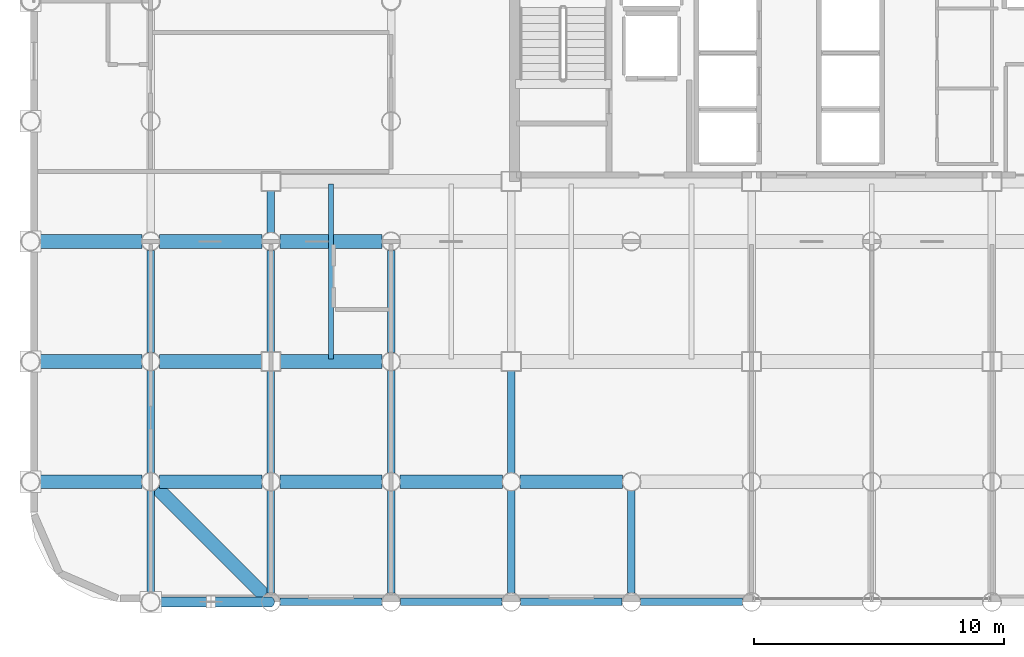
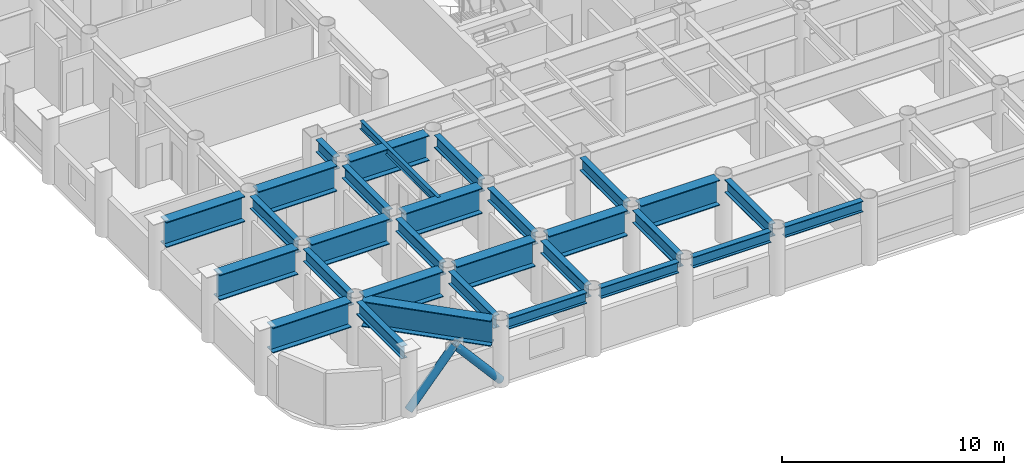
# One storey, part 3 of 26: 30 beams, 2 members.
"""IFC4 building model written with IfcOpenShell, lengths in metres."""

from ifc_helpers import new_model, si_unit, direction, frame, origin, origin_2d, place, context, subcontext, project, spatial, hollow_circle, i_section, extrude, material, material_profile, profile_set, type_object, element, save


model = new_model("IFC4")

# Units and contexts
model_context = context("Model", 3, precision=1e-05, world=origin(), true_north=direction((0.0, 1.0)))
body_context = subcontext(model_context, "Body", "Model", "MODEL_VIEW")
ifc_project = project(units=[si_unit("LENGTHUNIT", "METRE"), si_unit("AREAUNIT", "SQUARE_METRE"), si_unit("VOLUMEUNIT", "CUBIC_METRE"), si_unit("PLANEANGLEUNIT", "RADIAN"), si_unit("MASSUNIT", "GRAM", prefix="KILO")], contexts=[model_context])

# Site, building, storey
site_placement = place(None, origin())
site = spatial("IfcSite", under=ifc_project, at=site_placement, CompositionType="ELEMENT")
building_placement = place(site_placement, origin())
building = spatial("IfcBuilding", under=site, at=building_placement, Name="Kallvorn Hotel Tower", CompositionType="ELEMENT")
storey_placement = place(building_placement, frame((0.0, 0.0, 55.89990234375)))
storey = spatial("IfcBuildingStorey", under=building, at=storey_placement, Name="L12", CompositionType="ELEMENT", Elevation=55.89990234375)

# Beams
ifc_material_1 = material(Name="Structural steel S355JR", Category="steel")
ifc_material_profile_1 = material_profile(ifc_material_1, i_section(OverallWidth=0.300048828125, OverallDepth=0.60009765625, WebThickness=0.015380859375, FlangeThickness=0.030029296875, at=origin_2d()), Name="HE 600 B")
ifc_profile_set_1 = profile_set([ifc_material_profile_1], Name="Structural steel S355JR")
beam_type_1 = type_object("IfcBeamType", Name="BM_HE600B", PredefinedType="SPANDREL", material=ifc_profile_set_1)
beam_1_placement = place(storey_placement, frame((-23.62890625, -24.0, 3.22021484375), z_axis=(1.0, 0.0, 0.0), x_axis=(0.0, 1.0, 0.0)))
element("IfcBeam", 1, at=beam_1_placement, inside=storey, type_object=beam_type_1, Name="L13 Perimeter Spandrel 160", PredefinedType="SPANDREL", context=body_context, shape_type="SweptSolid", body=[
    extrude(i_section(OverallWidth=0.300048828125, OverallDepth=0.60009765625, WebThickness=0.015380859375, FlangeThickness=0.030029296875, at=origin_2d()), origin(), (0.0, 0.0, 1.0), 4.057861328125),
])
for number, where, z_axis, x_axis, name in (
    (2, (-18.8291015625, -24.0, 3.22021484375), (1.0, 0.0, 0.0), (0.0, 1.0, 0.0), "L13 Perimeter Spandrel 161"),
    (3, (-14.029052734375, -24.0, 3.22021484375), (1.0, 0.0, 0.0), (0.0, 1.0, 0.0), "L13 Perimeter Spandrel 162"),
    (4, (-9.22900390625, -24.0, 3.22021484375), (1.0, 0.0, 0.0), (0.0, 1.0, 0.0), "L13 Perimeter Spandrel 163"),
):
    element("IfcBeam", number, at=place(storey_placement, frame(where, z_axis=z_axis, x_axis=x_axis)), inside=storey, type_object=beam_type_1, Name=name, PredefinedType="SPANDREL", context=body_context, shape_type="SweptSolid", body=[
        extrude(i_section(OverallWidth=0.300048828125, OverallDepth=0.60009765625, WebThickness=0.015380859375, FlangeThickness=0.030029296875, at=origin_2d()), origin(), (0.0, 0.0, 1.0), 4.05810546875),
    ])
ifc_material_2 = material(Name="Structural steel S355JR", Category="steel")
ifc_material_profile_2 = material_profile(ifc_material_2, i_section(OverallWidth=0.300048828125, OverallDepth=0.699951171875, WebThickness=0.01708984375, FlangeThickness=0.031982421875, at=origin_2d()), Name="HE 700 B")
ifc_profile_set_2 = profile_set([ifc_material_profile_2], Name="Structural steel S355JR")
beam_type_2 = type_object("IfcBeamType", Name="BM_HE700B", PredefinedType="BEAM", material=ifc_profile_set_2)
beam_2_placement = place(storey_placement, frame((-28.800048828125, -23.64404296875, 3.170166015625), z_axis=(0.0, 1.0, 0.0), x_axis=(-1.0, 0.0, 0.0)))
element("IfcBeam", 5, at=beam_2_placement, inside=storey, type_object=beam_type_2, Name="L13 Primary Y-Girder 82", PredefinedType="BEAM", context=body_context, shape_type="SweptSolid", body=[
    extrude(i_section(OverallWidth=0.300048828125, OverallDepth=0.699951171875, WebThickness=0.01708984375, FlangeThickness=0.031982421875, at=origin_2d()), origin(), (0.0, 0.0, 1.0), 4.088134765625),
])
for number, where, z_axis, x_axis, name in (
    (6, (-28.800048828125, -18.843994140625, 3.170166015625), (0.0, 1.0, 0.0), (-1.0, 0.0, 0.0), "L13 Primary Y-Girder 83"),
    (7, (-28.800048828125, -14.0439453125, 3.170166015625), (0.0, 1.0, 0.0), (-1.0, 0.0, 0.0), "L13 Primary Y-Girder 84"),
):
    element("IfcBeam", number, at=place(storey_placement, frame(where, z_axis=z_axis, x_axis=x_axis)), inside=storey, type_object=beam_type_2, Name=name, PredefinedType="BEAM", context=body_context, shape_type="SweptSolid", body=[
        extrude(i_section(OverallWidth=0.300048828125, OverallDepth=0.699951171875, WebThickness=0.01708984375, FlangeThickness=0.031982421875, at=origin_2d()), origin(), (0.0, 0.0, 1.0), 4.087890625),
    ])
beam_3_placement = place(storey_placement, frame((-24.0, -23.64404296875, 3.170166015625), z_axis=(0.0, 1.0, 0.0), x_axis=(-1.0, 0.0, 0.0)))
element("IfcBeam", 8, at=beam_3_placement, inside=storey, type_object=beam_type_2, Name="L13 Primary Y-Girder 91", PredefinedType="BEAM", context=body_context, shape_type="SweptSolid", body=[
    extrude(i_section(OverallWidth=0.300048828125, OverallDepth=0.699951171875, WebThickness=0.01708984375, FlangeThickness=0.031982421875, at=origin_2d()), origin(), (0.0, 0.0, 1.0), 4.088134765625),
])
beam_4_placement = place(storey_placement, frame((-24.0, -18.843994140625, 3.170166015625), z_axis=(0.0, 1.0, 0.0), x_axis=(-1.0, 0.0, 0.0)))
element("IfcBeam", 9, at=beam_4_placement, inside=storey, type_object=beam_type_2, Name="L13 Primary Y-Girder 92", PredefinedType="BEAM", context=body_context, shape_type="SweptSolid", body=[
    extrude(i_section(OverallWidth=0.300048828125, OverallDepth=0.699951171875, WebThickness=0.01708984375, FlangeThickness=0.031982421875, at=origin_2d()), origin(), (0.0, 0.0, 1.0), 4.069091796875),
])
beam_5_placement = place(storey_placement, frame((-24.0, -14.02490234375, 3.170166015625), z_axis=(0.0, 1.0, 0.0), x_axis=(-1.0, 0.0, 0.0)))
element("IfcBeam", 10, at=beam_5_placement, inside=storey, type_object=beam_type_2, Name="L13 Primary Y-Girder 93", PredefinedType="BEAM", context=body_context, shape_type="SweptSolid", body=[
    extrude(i_section(OverallWidth=0.300048828125, OverallDepth=0.699951171875, WebThickness=0.01708984375, FlangeThickness=0.031982421875, at=origin_2d()), origin(), (0.0, 0.0, 1.0), 4.06884765625),
])
beam_6_placement = place(storey_placement, frame((-24.0, -9.243896484375, 3.170166015625), z_axis=(0.0, 1.0, 0.0), x_axis=(-1.0, 0.0, 0.0)))
element("IfcBeam", 11, at=beam_6_placement, inside=storey, type_object=beam_type_2, Name="L13 Primary Y-Girder 94", PredefinedType="BEAM", context=body_context, shape_type="SweptSolid", body=[
    extrude(i_section(OverallWidth=0.300048828125, OverallDepth=0.699951171875, WebThickness=0.01708984375, FlangeThickness=0.031982421875, at=origin_2d()), origin(), (0.0, 0.0, 1.0), 1.6689453125),
])
beam_7_placement = place(storey_placement, frame((-19.199951171875, -23.64404296875, 3.170166015625), z_axis=(0.0, 1.0, 0.0), x_axis=(-1.0, 0.0, 0.0)))
element("IfcBeam", 12, at=beam_7_placement, inside=storey, type_object=beam_type_2, Name="L13 Primary Y-Girder 98", PredefinedType="BEAM", context=body_context, shape_type="SweptSolid", body=[
    extrude(i_section(OverallWidth=0.300048828125, OverallDepth=0.699951171875, WebThickness=0.01708984375, FlangeThickness=0.031982421875, at=origin_2d()), origin(), (0.0, 0.0, 1.0), 4.088134765625),
])
for number, where, z_axis, x_axis, name in (
    (13, (-19.199951171875, -18.843994140625, 3.170166015625), (0.0, 1.0, 0.0), (-1.0, 0.0, 0.0), "L13 Primary Y-Girder 99"),
    (14, (-19.199951171875, -14.0439453125, 3.170166015625), (0.0, 1.0, 0.0), (-1.0, 0.0, 0.0), "L13 Primary Y-Girder 100"),
):
    element("IfcBeam", number, at=place(storey_placement, frame(where, z_axis=z_axis, x_axis=x_axis)), inside=storey, type_object=beam_type_2, Name=name, PredefinedType="BEAM", context=body_context, shape_type="SweptSolid", body=[
        extrude(i_section(OverallWidth=0.300048828125, OverallDepth=0.699951171875, WebThickness=0.01708984375, FlangeThickness=0.031982421875, at=origin_2d()), origin(), (0.0, 0.0, 1.0), 4.087890625),
    ])
beam_8_placement = place(storey_placement, frame((-14.39990234375, -23.64404296875, 3.170166015625), z_axis=(0.0, 1.0, 0.0), x_axis=(-1.0, 0.0, 0.0)))
element("IfcBeam", 15, at=beam_8_placement, inside=storey, type_object=beam_type_2, Name="L13 Primary Y-Girder 107", PredefinedType="BEAM", context=body_context, shape_type="SweptSolid", body=[
    extrude(i_section(OverallWidth=0.300048828125, OverallDepth=0.699951171875, WebThickness=0.01708984375, FlangeThickness=0.031982421875, at=origin_2d()), origin(), (0.0, 0.0, 1.0), 4.088134765625),
])
beam_9_placement = place(storey_placement, frame((-14.39990234375, -18.843994140625, 3.170166015625), z_axis=(0.0, 1.0, 0.0), x_axis=(-1.0, 0.0, 0.0)))
element("IfcBeam", 16, at=beam_9_placement, inside=storey, type_object=beam_type_2, Name="L13 Primary Y-Girder 108", PredefinedType="BEAM", context=body_context, shape_type="SweptSolid", body=[
    extrude(i_section(OverallWidth=0.300048828125, OverallDepth=0.699951171875, WebThickness=0.01708984375, FlangeThickness=0.031982421875, at=origin_2d()), origin(), (0.0, 0.0, 1.0), 4.069091796875),
])
beam_10_placement = place(storey_placement, frame((-9.60009765625, -23.64404296875, 3.170166015625), z_axis=(0.0, 1.0, 0.0), x_axis=(-1.0, 0.0, 0.0)))
element("IfcBeam", 17, at=beam_10_placement, inside=storey, type_object=beam_type_2, Name="L13 Primary Y-Girder 112", PredefinedType="BEAM", context=body_context, shape_type="SweptSolid", body=[
    extrude(i_section(OverallWidth=0.300048828125, OverallDepth=0.699951171875, WebThickness=0.01708984375, FlangeThickness=0.031982421875, at=origin_2d()), origin(), (0.0, 0.0, 1.0), 4.088134765625),
])
ifc_material_3 = material(Name="Structural steel S355JR", Category="steel")
ifc_material_profile_3 = material_profile(ifc_material_3, i_section(OverallWidth=0.18994140625, OverallDepth=0.449951171875, WebThickness=0.009521484375, FlangeThickness=0.0146484375, at=origin_2d()), Name="IPE 450")
ifc_profile_set_3 = profile_set([ifc_material_profile_3], Name="Structural steel S355JR")
beam_type_3 = type_object("IfcBeamType", Name="BM_IPE450", PredefinedType="JOIST", material=ifc_profile_set_3)
beam_11_placement = place(storey_placement, frame((-21.60009765625, -14.300048828125, 3.295166015625), z_axis=(0.0, 1.0, 0.0), x_axis=(-1.0, 0.0, 0.0)))
element("IfcBeam", 18, at=beam_11_placement, inside=storey, type_object=beam_type_3, Name="L13 Secondary Composite Joist 201", PredefinedType="JOIST", context=body_context, shape_type="SweptSolid", body=[
    extrude(i_section(OverallWidth=0.18994140625, OverallDepth=0.449951171875, WebThickness=0.009521484375, FlangeThickness=0.0146484375, at=origin_2d()), origin(), (0.0, 0.0, 1.0), 7.0),
])
ifc_material_4 = material(Name="Structural steel S355JR", Category="steel")
ifc_material_profile_4 = material_profile(ifc_material_4, i_section(OverallWidth=0.550048828125, OverallDepth=1.39990234375, WebThickness=0.02490234375, FlangeThickness=0.044921875, at=origin_2d()), Name="PG 1400x550x25x45")
ifc_profile_set_4 = profile_set([ifc_material_profile_4], Name="Structural steel S355JR")
beam_type_4 = type_object("IfcBeamType", Name="BM_PG_1400", PredefinedType="BEAM", material=ifc_profile_set_4)
beam_12_placement = place(storey_placement, frame((-33.243896484375, -19.199951171875, 2.820068359375), z_axis=(1.0, 0.0, 0.0), x_axis=(0.0, 1.0, 0.0)))
element("IfcBeam", 19, at=beam_12_placement, inside=storey, type_object=beam_type_4, Name="L13 Primary X-Girder 10", PredefinedType="BEAM", context=body_context, shape_type="SweptSolid", body=[
    extrude(i_section(OverallWidth=0.550048828125, OverallDepth=1.39990234375, WebThickness=0.02490234375, FlangeThickness=0.044921875, at=origin_2d()), origin(), (0.0, 0.0, 1.0), 4.087890625),
])
for number, where, z_axis, x_axis, name in (
    (20, (-28.444091796875, -19.199951171875, 2.820068359375), (1.0, 0.0, 0.0), (0.0, 1.0, 0.0), "L13 Primary X-Girder 11"),
    (21, (-23.64404296875, -19.199951171875, 2.820068359375), (1.0, 0.0, 0.0), (0.0, 1.0, 0.0), "L13 Primary X-Girder 12"),
):
    element("IfcBeam", number, at=place(storey_placement, frame(where, z_axis=z_axis, x_axis=x_axis)), inside=storey, type_object=beam_type_4, Name=name, PredefinedType="BEAM", context=body_context, shape_type="SweptSolid", body=[
        extrude(i_section(OverallWidth=0.550048828125, OverallDepth=1.39990234375, WebThickness=0.02490234375, FlangeThickness=0.044921875, at=origin_2d()), origin(), (0.0, 0.0, 1.0), 4.088134765625),
    ])
for number, where, z_axis, x_axis, name in (
    (22, (-18.843994140625, -19.199951171875, 2.820068359375), (1.0, 0.0, 0.0), (0.0, 1.0, 0.0), "L13 Primary X-Girder 13"),
    (23, (-14.0439453125, -19.199951171875, 2.820068359375), (1.0, 0.0, 0.0), (0.0, 1.0, 0.0), "L13 Primary X-Girder 14"),
    (24, (-33.243896484375, -14.39990234375, 2.820068359375), (1.0, 0.0, 0.0), (0.0, 1.0, 0.0), "L13 Primary X-Girder 23"),
):
    element("IfcBeam", number, at=place(storey_placement, frame(where, z_axis=z_axis, x_axis=x_axis)), inside=storey, type_object=beam_type_4, Name=name, PredefinedType="BEAM", context=body_context, shape_type="SweptSolid", body=[
        extrude(i_section(OverallWidth=0.550048828125, OverallDepth=1.39990234375, WebThickness=0.02490234375, FlangeThickness=0.044921875, at=origin_2d()), origin(), (0.0, 0.0, 1.0), 4.087890625),
    ])
for number, where, z_axis, x_axis, name in (
    (25, (-28.444091796875, -14.39990234375, 2.820068359375), (1.0, 0.0, 0.0), (0.0, 1.0, 0.0), "L13 Primary X-Girder 24"),
    (26, (-23.625, -14.39990234375, 2.820068359375), (1.0, 0.0, 0.0), (0.0, 1.0, 0.0), "L13 Primary X-Girder 25"),
):
    element("IfcBeam", number, at=place(storey_placement, frame(where, z_axis=z_axis, x_axis=x_axis)), inside=storey, type_object=beam_type_4, Name=name, PredefinedType="BEAM", context=body_context, shape_type="SweptSolid", body=[
        extrude(i_section(OverallWidth=0.550048828125, OverallDepth=1.39990234375, WebThickness=0.02490234375, FlangeThickness=0.044921875, at=origin_2d()), origin(), (0.0, 0.0, 1.0), 4.069091796875),
    ])
beam_13_placement = place(storey_placement, frame((-33.243896484375, -9.60009765625, 2.820068359375), z_axis=(1.0, 0.0, 0.0), x_axis=(0.0, 1.0, 0.0)))
element("IfcBeam", 27, at=beam_13_placement, inside=storey, type_object=beam_type_4, Name="L13 Primary X-Girder 33", PredefinedType="BEAM", context=body_context, shape_type="SweptSolid", body=[
    extrude(i_section(OverallWidth=0.550048828125, OverallDepth=1.39990234375, WebThickness=0.02490234375, FlangeThickness=0.044921875, at=origin_2d()), origin(), (0.0, 0.0, 1.0), 4.087890625),
])
for number, where, z_axis, x_axis, name in (
    (28, (-28.444091796875, -9.60009765625, 2.820068359375), (1.0, 0.0, 0.0), (0.0, 1.0, 0.0), "L13 Primary X-Girder 34"),
    (29, (-23.64404296875, -9.60009765625, 2.820068359375), (1.0, 0.0, 0.0), (0.0, 1.0, 0.0), "L13 Primary X-Girder 35"),
):
    element("IfcBeam", number, at=place(storey_placement, frame(where, z_axis=z_axis, x_axis=x_axis)), inside=storey, type_object=beam_type_4, Name=name, PredefinedType="BEAM", context=body_context, shape_type="SweptSolid", body=[
        extrude(i_section(OverallWidth=0.550048828125, OverallDepth=1.39990234375, WebThickness=0.02490234375, FlangeThickness=0.044921875, at=origin_2d()), origin(), (0.0, 0.0, 1.0), 4.088134765625),
    ])
beam_14_placement = place(storey_placement, frame((-28.53759765625, -19.46240234375, 2.820068359375), z_axis=(0.707106781187, -0.707106781187, 0.0), x_axis=(0.707106781187, 0.707106781187, 0.0)))
element("IfcBeam", 30, at=beam_14_placement, inside=storey, type_object=beam_type_4, Name="L13 Rounded Corner Tie Beam 198", PredefinedType="BEAM", context=body_context, shape_type="SweptSolid", body=[
    extrude(i_section(OverallWidth=0.550048828125, OverallDepth=1.39990234375, WebThickness=0.02490234375, FlangeThickness=0.044921875, at=origin_2d()), origin(), (0.0, 0.0, 1.0), 6.04638671875),
])

# Members
ifc_material_5 = material(Name="Structural steel S355J2H", Category="steel")
ifc_material_profile_5 = material_profile(ifc_material_5, hollow_circle(Radius=0.203125, WallThickness=0.01611328125, at=origin_2d()), Name="CHS 406.4x16")
ifc_profile_set_5 = profile_set([ifc_material_profile_5], Name="Structural steel S355J2H")
member_type = type_object("IfcMemberType", Name="MBR_EXO_CHS406", PredefinedType="BRACE", material=ifc_profile_set_5)
for number, where, z_axis, x_axis, name in (
    (31, (-28.786865234375, -24.0, 0.1953125), (0.65346062529, 0.0, 0.756960508346), (0.0, 1.0, 0.0), "L12 Exoskeleton K-Brace S1A"),
    (32, (-24.01318359375, -24.0, 0.1953125), (-0.65346062529, 0.0, 0.756960508346), (0.0, -1.0, 0.0), "L12 Exoskeleton K-Brace S1B"),
):
    element("IfcMember", number, at=place(storey_placement, frame(where, z_axis=z_axis, x_axis=x_axis)), inside=storey, type_object=member_type, Name=name, PredefinedType="BRACE", context=body_context, shape_type="SweptSolid", body=[
        extrude(hollow_circle(Radius=0.203125, WallThickness=0.01611328125, at=origin_2d()), origin(), (0.0, 0.0, 1.0), 3.632568359375),
    ])

save(model, "model.ifc")
